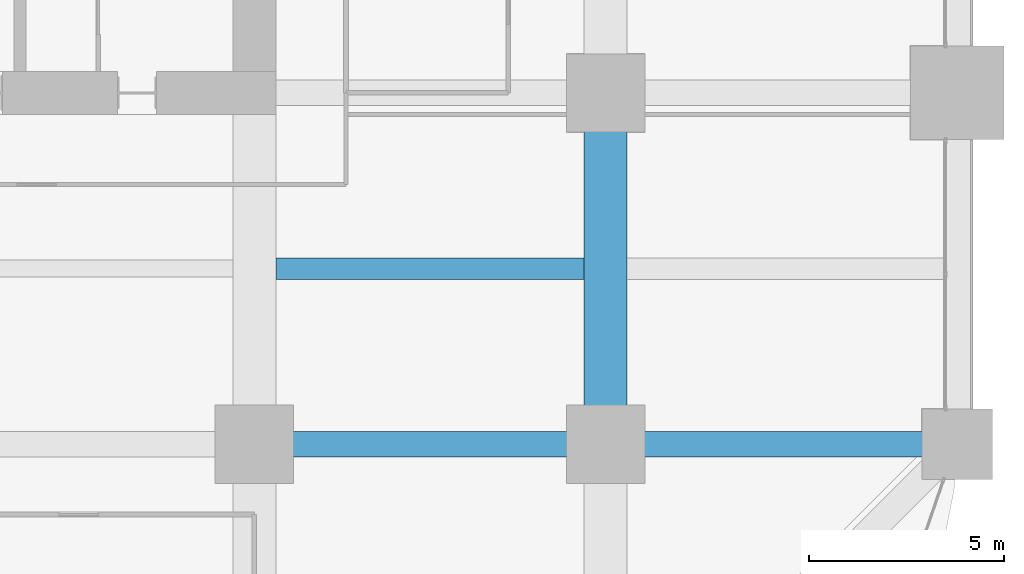
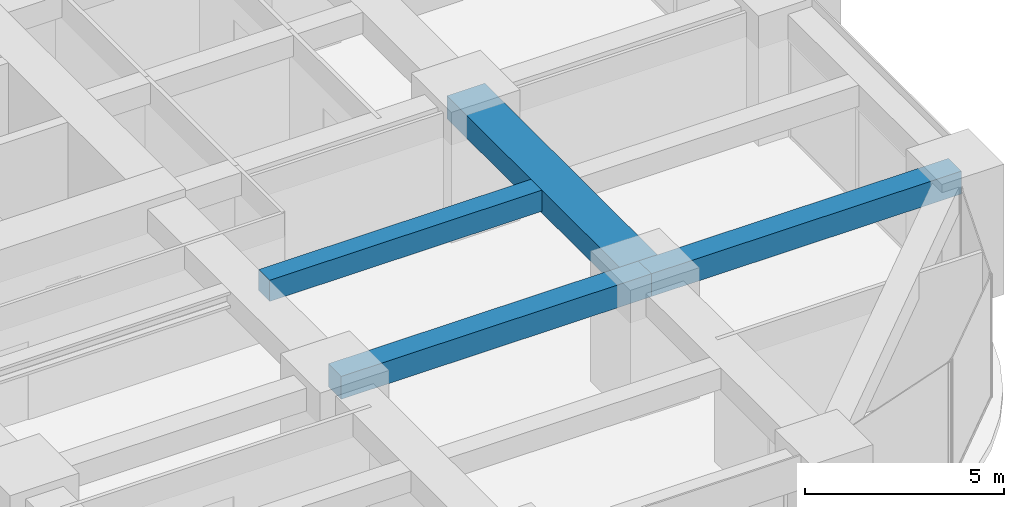
# One storey, part 18 of 39: 4 beams.
"""IFC4 building model written with IfcOpenShell, lengths in metres."""

from ifc_helpers import new_model, si_unit, direction, frame, origin, origin_2d, place, context, subcontext, project, spatial, rectangle, extrude, material, material_profile, profile_set, type_object, element, save


model = new_model("IFC4")

# Units and contexts
model_context = context("Model", 3, precision=1e-05, world=origin(), true_north=direction((0.0, 1.0)))
body_context = subcontext(model_context, "Body", "Model", "MODEL_VIEW")
ifc_project = project(units=[si_unit("LENGTHUNIT", "METRE"), si_unit("AREAUNIT", "SQUARE_METRE"), si_unit("VOLUMEUNIT", "CUBIC_METRE"), si_unit("PLANEANGLEUNIT", "RADIAN"), si_unit("MASSUNIT", "GRAM", prefix="KILO")], contexts=[model_context])

# Site, building, storey
site_placement = place(None, origin())
site = spatial("IfcSite", under=ifc_project, at=site_placement, CompositionType="ELEMENT")
building_placement = place(site_placement, origin())
building = spatial("IfcBuilding", under=site, at=building_placement, Name="Zorevar Civic Tower", CompositionType="ELEMENT")
storey_placement = place(building_placement, frame((0.0, 0.0, 121.0)))
storey = spatial("IfcBuildingStorey", under=building, at=storey_placement, Name="L29", CompositionType="ELEMENT", Elevation=121.0)

# Beams
ifc_material_1 = material(Name="Concrete C50/60", Category="concrete")
ifc_material_profile_1 = material_profile(ifc_material_1, rectangle(XDim=1.10009765625, YDim=0.699951171875, at=origin_2d()), Name="RC 1100x700")
ifc_profile_set_1 = profile_set([ifc_material_profile_1], Name="Concrete C50/60")
beam_type_1 = type_object("IfcBeamType", Name="Beam RC 1100x700", PredefinedType="BEAM", material=ifc_profile_set_1)
beam_1_placement = place(storey_placement, frame((54.0, 9.0, 3.39990234375), z_axis=(0.0, 1.0, 0.0), x_axis=(-1.0, 0.0, 0.0)))
element("IfcBeam", 1, at=beam_1_placement, inside=storey, type_object=beam_type_1, Name="Girder L30", PredefinedType="BEAM", context=body_context, shape_type="SweptSolid", body=[
    extrude(rectangle(XDim=1.10009765625, YDim=0.699951171875, at=origin_2d()), origin(), (0.0, 0.0, 1.0), 9.0),
])
ifc_material_2 = material(Name="Concrete C50/60", Category="concrete")
ifc_material_profile_2 = material_profile(ifc_material_2, rectangle(XDim=0.550048828125, YDim=0.64990234375, at=origin_2d()), Name="RC 550x650")
ifc_profile_set_2 = profile_set([ifc_material_profile_2], Name="Concrete C50/60")
beam_type_2 = type_object("IfcBeamType", Name="Beam RC 550x650", PredefinedType="BEAM", material=ifc_profile_set_2)
beam_2_placement = place(storey_placement, frame((45.550048828125, 13.5, 3.425048828125), z_axis=(1.0, 0.0, 0.0), x_axis=(0.0, 1.0, 0.0)))
element("IfcBeam", 2, at=beam_2_placement, inside=storey, type_object=beam_type_2, Name="Secondary beam L30", PredefinedType="BEAM", context=body_context, shape_type="SweptSolid", body=[
    extrude(rectangle(XDim=0.550048828125, YDim=0.64990234375, at=origin_2d()), origin(), (0.0, 0.0, 1.0), 7.89990234375),
])
ifc_material_3 = material(Name="Concrete C50/60", Category="concrete")
ifc_material_profile_3 = material_profile(ifc_material_3, rectangle(XDim=0.64990234375, YDim=0.699951171875, at=origin_2d()), Name="RC 650x700")
ifc_profile_set_3 = profile_set([ifc_material_profile_3], Name="Concrete C50/60")
beam_type_3 = type_object("IfcBeamType", Name="Beam RC 650x700", PredefinedType="BEAM", material=ifc_profile_set_3)
for number, where, z_axis, x_axis, name in (
    (3, (45.0, 9.0, 3.39990234375), (1.0, 0.0, 0.0), (0.0, 1.0, 0.0), "Girder L30"),
    (4, (54.0, 9.0, 3.39990234375), (1.0, 0.0, 0.0), (0.0, 1.0, 0.0), "Girder L30"),
):
    element("IfcBeam", number, at=place(storey_placement, frame(where, z_axis=z_axis, x_axis=x_axis)), inside=storey, type_object=beam_type_3, Name=name, PredefinedType="BEAM", context=body_context, shape_type="SweptSolid", body=[
        extrude(rectangle(XDim=0.64990234375, YDim=0.699951171875, at=origin_2d()), origin(), (0.0, 0.0, 1.0), 9.0),
    ])

save(model, "model.ifc")
